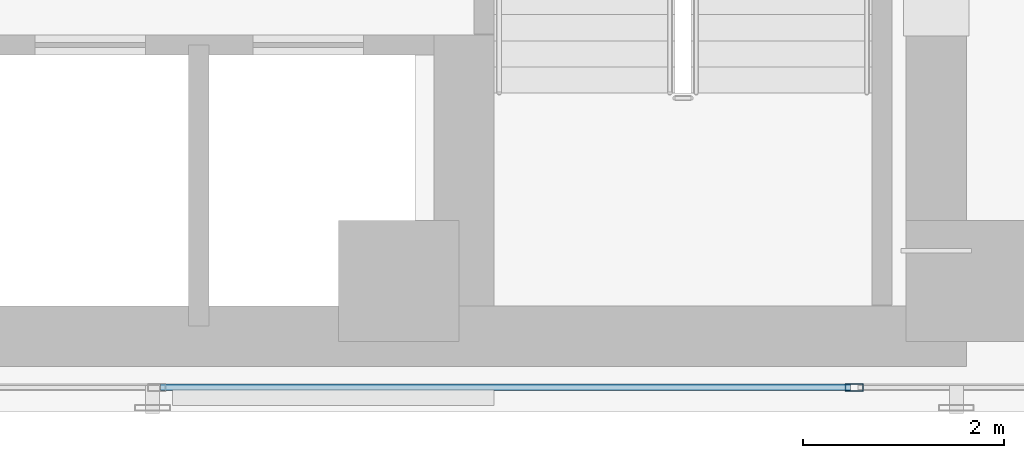
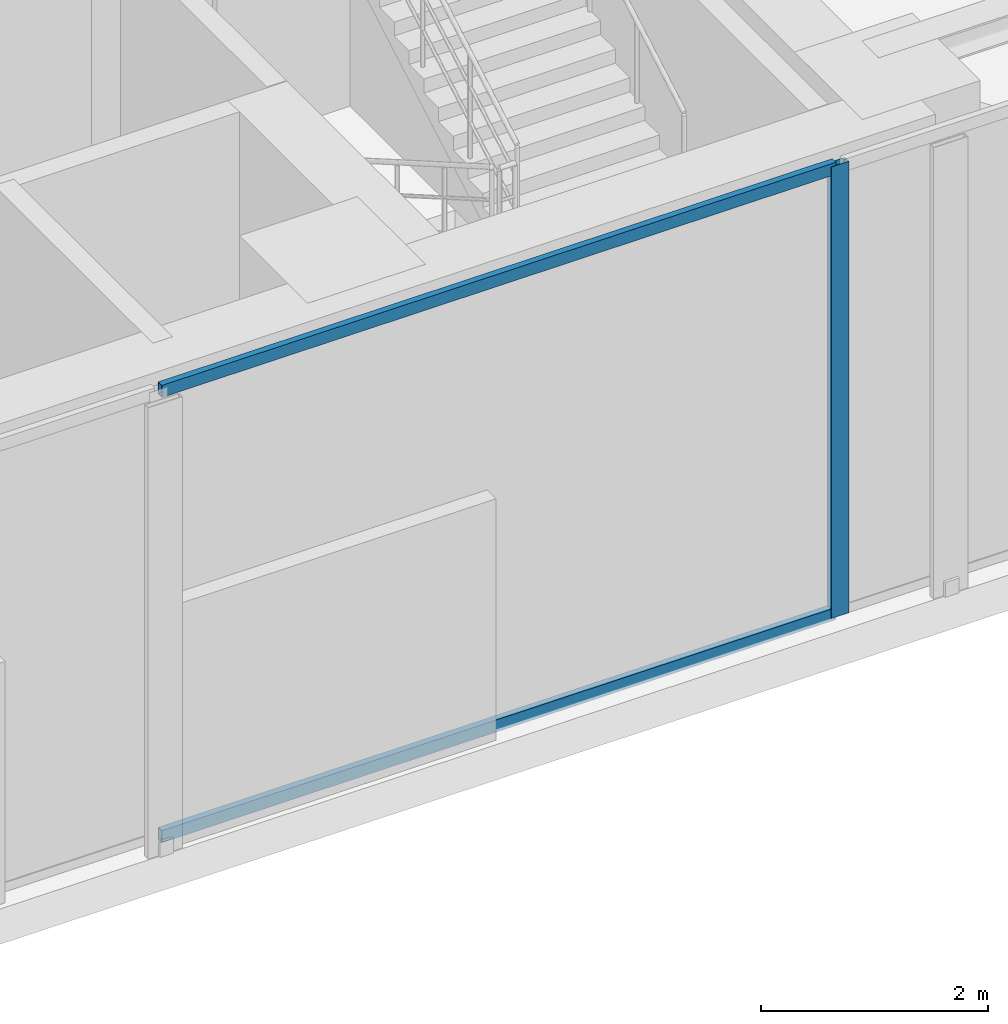
# One storey, part 3 of 36: 3 members, 1 element without a shape of its own.
"""IFC4 building model written with IfcOpenShell, lengths in metres."""

from ifc_helpers import new_model, si_unit, direction, frame, origin, origin_with_axes, origin_2d, place, context, subcontext, project, spatial, hollow_rectangle, extrude, source, transform, mapped, material, layer, layer_set, material_profile, profile_set, type_object, element, aggregate, save


model = new_model("IFC4")

# Units and contexts
model_context = context("Model", 3, precision=1e-05, world=origin(), true_north=direction((0.0, 1.0)))
body_context = subcontext(model_context, "Body", "Model", "MODEL_VIEW")
ifc_project = project(units=[si_unit("LENGTHUNIT", "METRE"), si_unit("AREAUNIT", "SQUARE_METRE"), si_unit("VOLUMEUNIT", "CUBIC_METRE"), si_unit("PLANEANGLEUNIT", "RADIAN"), si_unit("MASSUNIT", "GRAM", prefix="KILO")], contexts=[model_context])

# Site, building, storey
site_placement = place(None, origin())
site = spatial("IfcSite", under=ifc_project, at=site_placement, CompositionType="ELEMENT")
building_placement = place(site_placement, origin())
building = spatial("IfcBuilding", under=site, at=building_placement, Name="Kolvaren Waterfront Exchange", CompositionType="ELEMENT")
storey_placement = place(building_placement, frame((0.0, 0.0, 199.39990234375)))
storey = spatial("IfcBuildingStorey", under=building, at=storey_placement, Name="L51", CompositionType="ELEMENT", Elevation=199.39990234375)

# Curtain wall, members
ifc_material_1 = material(Name="Anodised dark bronze spandrel aluminium", Category="aluminium")
ifc_layer = layer(ifc_material_1, 0.219970703125, Name="Anodised dark bronze spandrel aluminium")
ifc_layer_set = layer_set([ifc_layer], Name="Anodised dark bronze spandrel aluminium")
curtain_wall_type = type_object("IfcCurtainWallType", Name="ARC-CW-SYS6", PredefinedType="USERDEFINED", material=ifc_layer_set)
curtain_wall_placement = place(storey_placement, origin())
curtain_wall = element("IfcCurtainWall", 1, at=curtain_wall_placement, inside=storey, type_object=curtain_wall_type, Name="L51 stick curtain wall CW6 (CW-L51-S)", ObjectType="STICK CURTAIN WALL", PredefinedType="USERDEFINED")
ifc_material_2 = material(Name="Anodised bronze aluminium 6063-T6", Category="aluminium")
ifc_material_profile_1 = material_profile(ifc_material_2, hollow_rectangle(XDim=0.074951171875, YDim=0.179931640625, WallThickness=0.00439453125, at=origin_2d()), Name="ALU-MUL-180x75x4.5")
ifc_profile_set_1 = profile_set([ifc_material_profile_1], Name="Anodised bronze aluminium 6063-T6")
member_type_1 = type_object("IfcMemberType", Name="ARC-CWM-180", PredefinedType="MULLION", material=ifc_profile_set_1)
shared_shape_1 = source(origin_with_axes(), body_context, "Body", "SweptSolid", [
    extrude(hollow_rectangle(XDim=0.074951171875, YDim=0.179931640625, WallThickness=0.00439453125, at=origin_2d()), origin(), (0.0, 0.0, 1.0), 4.860107421875),
])
member_1_placement = place(storey_placement, frame((19.985595703125, 3.840087890625, 0.0), z_axis=(0.0, 0.0, 1.0), x_axis=(0.0, 1.0, 0.0)))
member_1 = element("IfcMember", 2, at=member_1_placement, type_object=member_type_1, Name="CW6 mullion 3", PredefinedType="MULLION", context=body_context, shape_type="MappedRepresentation", body=[
    mapped(shared_shape_1, transform((0.0, 0.0, 0.0), x_axis=(1.0, 0.0, 0.0), y_axis=(0.0, 1.0, 0.0), z_axis=(0.0, 0.0, 1.0), scale=1.0)),
])
ifc_material_profile_2 = material_profile(ifc_material_2, hollow_rectangle(XDim=0.06494140625, YDim=0.1298828125, WallThickness=0.00390625, at=origin_2d()), Name="ALU-TRN-130x65x4")
ifc_profile_set_2 = profile_set([ifc_material_profile_2], Name="Anodised bronze aluminium 6063-T6")
member_type_2 = type_object("IfcMemberType", Name="ARC-CWT-130", PredefinedType="USERDEFINED", material=ifc_profile_set_2)
shared_shape_2 = source(origin_with_axes(), body_context, "Body", "SweptSolid", [
    extrude(hollow_rectangle(XDim=0.06494140625, YDim=0.1298828125, WallThickness=0.00390625, at=origin_2d()), origin(), (0.0, 0.0, 1.0), 6.867919921875),
])
member_2_placement = place(storey_placement, frame((13.080322265625, 3.840087890625, 0.03271484375), z_axis=(1.0, 0.0, 0.0), x_axis=(0.0, 1.0, 0.0)))
member_2 = element("IfcMember", 3, at=member_2_placement, type_object=member_type_2, Name="CW6 transom 2.1", ObjectType="TRANSOM", PredefinedType="USERDEFINED", context=body_context, shape_type="MappedRepresentation", body=[
    mapped(shared_shape_2, transform((0.0, 0.0, 0.0), x_axis=(1.0, 0.0, 0.0), y_axis=(0.0, 1.0, 0.0), z_axis=(0.0, 0.0, 1.0), scale=1.0)),
])
member_3_placement = place(storey_placement, frame((13.080322265625, 3.840087890625, 4.82763671875), z_axis=(1.0, 0.0, 0.0), x_axis=(0.0, 1.0, 0.0)))
member_3 = element("IfcMember", 4, at=member_3_placement, type_object=member_type_2, Name="CW6 transom 2.2", ObjectType="TRANSOM", PredefinedType="USERDEFINED", context=body_context, shape_type="MappedRepresentation", body=[
    mapped(shared_shape_2, transform((0.0, 0.0, 0.0), x_axis=(1.0, 0.0, 0.0), y_axis=(0.0, 1.0, 0.0), z_axis=(0.0, 0.0, 1.0), scale=1.0)),
])
aggregate(curtain_wall, [member_1, member_2, member_3])

save(model, "model.ifc")
